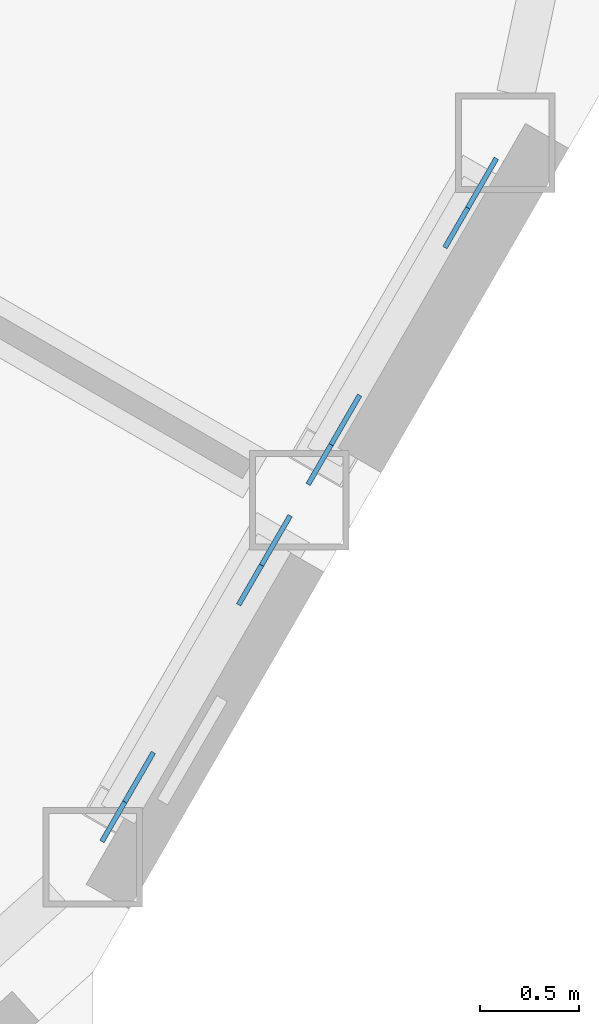
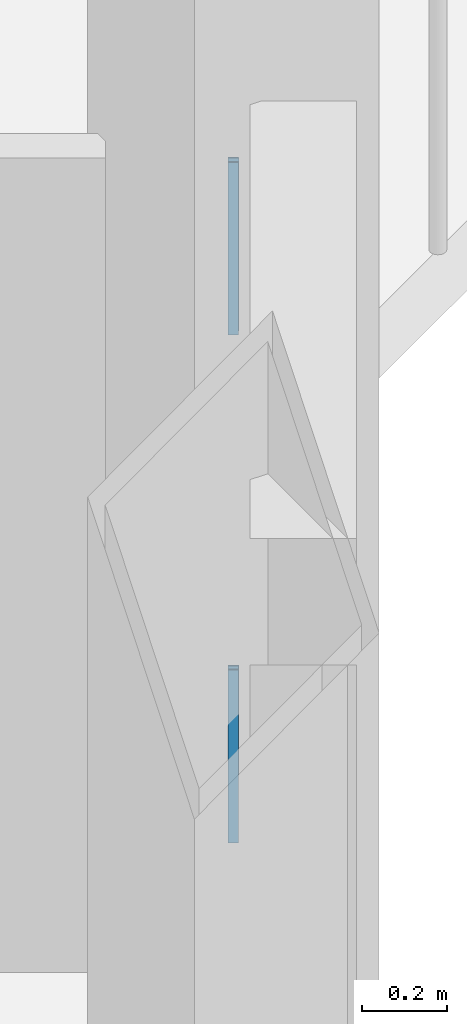
# One storey, part 20 of 26: 4 discrete accessories.
"""IFC4 building model written with IfcOpenShell, lengths in metres."""

from ifc_helpers import new_model, si_unit, direction, frame, origin, origin_2d, place, context, subcontext, project, spatial, rectangle, extrude, material, material_profile, profile_set, type_object, element, save


model = new_model("IFC4")

# Units and contexts
model_context = context("Model", 3, precision=1e-05, world=origin(), true_north=direction((0.0, 1.0)))
body_context = subcontext(model_context, "Body", "Model", "MODEL_VIEW")
ifc_project = project(units=[si_unit("LENGTHUNIT", "METRE"), si_unit("AREAUNIT", "SQUARE_METRE"), si_unit("VOLUMEUNIT", "CUBIC_METRE"), si_unit("PLANEANGLEUNIT", "RADIAN"), si_unit("MASSUNIT", "GRAM", prefix="KILO")], contexts=[model_context])

# Site, building, storey
site_placement = place(None, origin())
site = spatial("IfcSite", under=ifc_project, at=site_placement, CompositionType="ELEMENT")
building_placement = place(site_placement, origin())
building = spatial("IfcBuilding", under=site, at=building_placement, Name="Cormorant Prow Tower", CompositionType="ELEMENT")
storey_placement = place(building_placement, frame((0.0, 0.0, 378.0)))
storey = spatial("IfcBuildingStorey", under=building, at=storey_placement, Name="L85", CompositionType="ELEMENT", Elevation=378.0)

# Discrete accessories
ifc_material = material(Name="Structural steel ASTM A500 Gr C", Category="steel")
ifc_material_profile = material_profile(ifc_material, rectangle(XDim=0.02490234375, YDim=0.405029296875, at=origin_2d()), Name="Gusset plate 25x405")
ifc_profile_set = profile_set([ifc_material_profile], Name="Structural steel ASTM A500 Gr C")
discrete_accessory_type = type_object("IfcDiscreteAccessoryType", Name="Gusset plate 25x405", PredefinedType="BRACKET", material=ifc_profile_set)
for number, where, z_axis, x_axis, name in (
    (1, (26.7900390625, -16.037109375, 0.941162109375), (0.411595697368, 0.712269842394, -0.568560158228), (-0.865832418869, 0.500334110806, 0.0), "Gusset plate GP3 L85.ESE00.g0"),
    (2, (26.246826171875, -16.978271484375, 1.692626953125), (-0.411595697368, -0.712269842394, 0.568560158228), (0.865832418869, -0.500334110806, 0.0), "Gusset plate GP3 L85.ESE00.g1"),
    (3, (27.8271484375, -14.2412109375, 0.941162109375), (0.411016012482, 0.712474276306, -0.568723344945), (-0.866199709737, 0.499697971631, 0.0), "Gusset plate GP3 L85.ESE01.g0"),
    (4, (27.28369140625, -15.182373046875, 1.692626953125), (-0.411595697368, -0.712269842394, 0.568560158228), (0.865832418869, -0.500334110806, 0.0), "Gusset plate GP3 L85.ESE01.g1"),
):
    element("IfcDiscreteAccessory", number, at=place(storey_placement, frame(where, z_axis=z_axis, x_axis=x_axis)), inside=storey, type_object=discrete_accessory_type, Name=name, PredefinedType="BRACKET", context=body_context, shape_type="SweptSolid", body=[
        extrude(rectangle(XDim=0.02490234375, YDim=0.405029296875, at=origin_2d()), origin(), (0.0, 0.0, 1.0), 0.349853515625),
    ])

save(model, "model.ifc")
